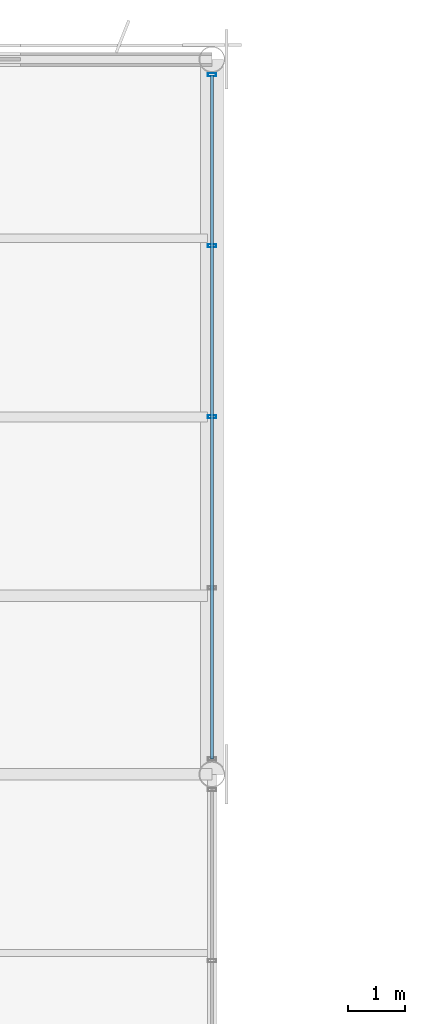
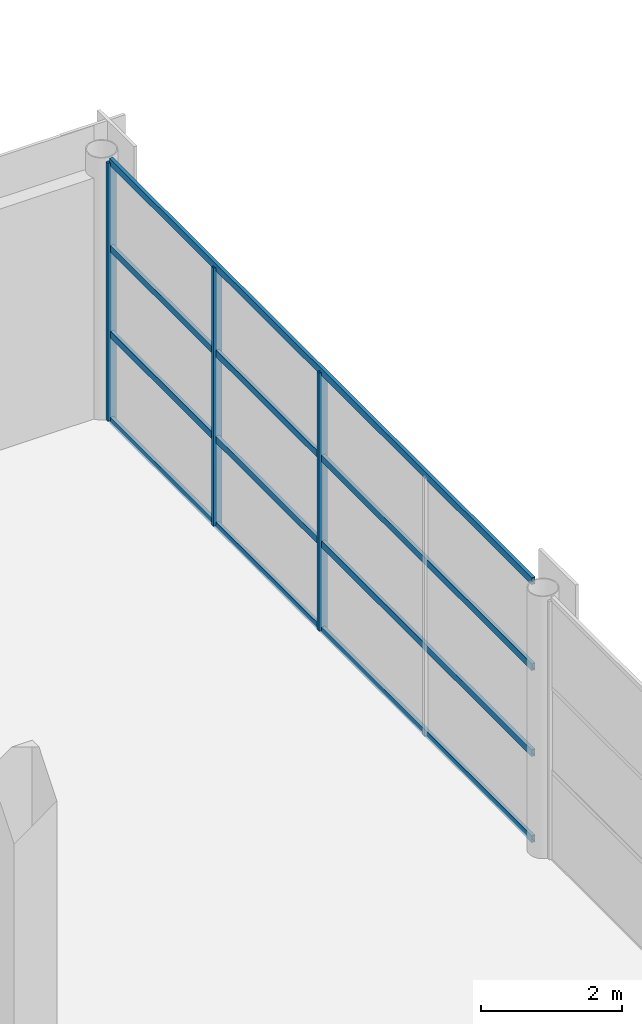
# One storey, part 47 of 101: 7 members, 1 element without a shape of its own.
"""IFC4 building model written with IfcOpenShell, lengths in metres."""

from ifc_helpers import new_model, si_unit, direction, frame, origin, origin_2d, place, context, subcontext, project, spatial, hollow_rectangle, extrude, material, material_profile, profile_set, type_object, element, aggregate, save


model = new_model("IFC4")

# Units and contexts
model_context = context("Model", 3, precision=1e-05, world=origin(), true_north=direction((0.0, 1.0)))
body_context = subcontext(model_context, "Body", "Model", "MODEL_VIEW")
ifc_project = project(units=[si_unit("LENGTHUNIT", "METRE"), si_unit("AREAUNIT", "SQUARE_METRE"), si_unit("VOLUMEUNIT", "CUBIC_METRE"), si_unit("PLANEANGLEUNIT", "RADIAN"), si_unit("MASSUNIT", "GRAM", prefix="KILO")], contexts=[model_context])

# Site, building, storey
site_placement = place(None, origin())
site = spatial("IfcSite", under=ifc_project, at=site_placement, CompositionType="ELEMENT")
building_placement = place(site_placement, origin())
building = spatial("IfcBuilding", under=site, at=building_placement, Name="Solvikara Media Centre", CompositionType="ELEMENT")
storey_placement = place(building_placement, frame((0.0, 0.0, 10.199951171875)))
storey = spatial("IfcBuildingStorey", under=building, at=storey_placement, Name="L02", CompositionType="ELEMENT", Elevation=10.199951171875)

# Curtain wall, members
ifc_material = material(Name="Anodised aluminium EN AW-6063", Category="aluminium")
curtain_wall_type = type_object("IfcCurtainWallType", Name="CW-08", PredefinedType="NOTDEFINED", material=ifc_material)
curtain_wall_placement = place(storey_placement, origin())
curtain_wall = element("IfcCurtainWall", 1, at=curtain_wall_placement, inside=storey, type_object=curtain_wall_type, Name="CW-L02-V3E-S2", PredefinedType="NOTDEFINED")
ifc_material_profile_1 = material_profile(ifc_material, hollow_rectangle(XDim=0.054931640625, YDim=0.139892578125, WallThickness=0.0029296875, at=origin_2d()), Name="ALU-M 55x140x3")
ifc_profile_set_1 = profile_set([ifc_material_profile_1], Name="Anodised aluminium EN AW-6063")
member_type_1 = type_object("IfcMemberType", Name="MF-05", PredefinedType="MULLION", material=ifc_profile_set_1)
member_1_placement = place(storey_placement, frame((34.0, 107.75, 0.02001953125), z_axis=(0.0, 0.0, 1.0), x_axis=(0.0, 1.0, 0.0)))
member_1 = element("IfcMember", 2, at=member_1_placement, type_object=member_type_1, Name="CW-L02-V3E-S2-M02", PredefinedType="MULLION", context=body_context, shape_type="SweptSolid", body=[
    extrude(hollow_rectangle(XDim=0.054931640625, YDim=0.139892578125, WallThickness=0.0029296875, at=origin_2d()), origin(), (0.0, 0.0, 1.0), 4.4599609375),
])
member_2_placement = place(storey_placement, frame((34.0, 110.739990234375, 0.02001953125), z_axis=(0.0, 0.0, 1.0), x_axis=(0.0, 1.0, 0.0)))
member_2 = element("IfcMember", 3, at=member_2_placement, type_object=member_type_1, Name="CW-L02-V3E-S2-M03", PredefinedType="MULLION", context=body_context, shape_type="SweptSolid", body=[
    extrude(hollow_rectangle(XDim=0.054931640625, YDim=0.139892578125, WallThickness=0.0029296875, at=origin_2d()), origin(), (0.0, 0.0, 1.0), 4.4599609375),
])
member_3_placement = place(storey_placement, frame((34.0, 113.73095703125, 0.02001953125), z_axis=(0.0, 0.0, 1.0), x_axis=(0.0, 1.0, 0.0)))
member_3 = element("IfcMember", 4, at=member_3_placement, type_object=member_type_1, Name="CW-L02-V3E-S2-M04", PredefinedType="MULLION", context=body_context, shape_type="SweptSolid", body=[
    extrude(hollow_rectangle(XDim=0.054931640625, YDim=0.139892578125, WallThickness=0.0029296875, at=origin_2d()), origin(), (0.0, 0.0, 1.0), 4.4599609375),
])
ifc_material_profile_2 = material_profile(ifc_material, hollow_rectangle(XDim=0.054931640625, YDim=0.1201171875, WallThickness=0.0029296875, at=origin_2d()), Name="ALU-T 55x120x3")
ifc_profile_set_2 = profile_set([ifc_material_profile_2], Name="Anodised aluminium EN AW-6063")
member_type_2 = type_object("IfcMemberType", Name="MF-11", PredefinedType="USERDEFINED", material=ifc_profile_set_2)
member_4_placement = place(storey_placement, frame((34.0, 101.76904296875, 0.02001953125), z_axis=(0.0, 1.0, 0.0), x_axis=(-1.0, 0.0, 0.0)))
member_4 = element("IfcMember", 5, at=member_4_placement, type_object=member_type_2, Name="CW-L02-V3E-S2-T00", ObjectType="TRANSOM", PredefinedType="USERDEFINED", context=body_context, shape_type="SweptSolid", body=[
    extrude(hollow_rectangle(XDim=0.054931640625, YDim=0.1201171875, WallThickness=0.0029296875, at=origin_2d()), origin(), (0.0, 0.0, 1.0), 11.9619140625),
])
member_5_placement = place(storey_placement, frame((34.0, 101.76904296875, 1.507080078125), z_axis=(0.0, 1.0, 0.0), x_axis=(-1.0, 0.0, 0.0)))
member_5 = element("IfcMember", 6, at=member_5_placement, type_object=member_type_2, Name="CW-L02-V3E-S2-T01", ObjectType="TRANSOM", PredefinedType="USERDEFINED", context=body_context, shape_type="SweptSolid", body=[
    extrude(hollow_rectangle(XDim=0.054931640625, YDim=0.1201171875, WallThickness=0.0029296875, at=origin_2d()), origin(), (0.0, 0.0, 1.0), 11.9619140625),
])
member_6_placement = place(storey_placement, frame((34.0, 101.76904296875, 2.9931640625), z_axis=(0.0, 1.0, 0.0), x_axis=(-1.0, 0.0, 0.0)))
member_6 = element("IfcMember", 7, at=member_6_placement, type_object=member_type_2, Name="CW-L02-V3E-S2-T02", ObjectType="TRANSOM", PredefinedType="USERDEFINED", context=body_context, shape_type="SweptSolid", body=[
    extrude(hollow_rectangle(XDim=0.054931640625, YDim=0.1201171875, WallThickness=0.0029296875, at=origin_2d()), origin(), (0.0, 0.0, 1.0), 11.9619140625),
])
member_7_placement = place(storey_placement, frame((34.0, 101.76904296875, 4.47998046875), z_axis=(0.0, 1.0, 0.0), x_axis=(-1.0, 0.0, 0.0)))
member_7 = element("IfcMember", 8, at=member_7_placement, type_object=member_type_2, Name="CW-L02-V3E-S2-T03", ObjectType="TRANSOM", PredefinedType="USERDEFINED", context=body_context, shape_type="SweptSolid", body=[
    extrude(hollow_rectangle(XDim=0.054931640625, YDim=0.1201171875, WallThickness=0.0029296875, at=origin_2d()), origin(), (0.0, 0.0, 1.0), 11.9619140625),
])
aggregate(curtain_wall, [member_1, member_2, member_3, member_4, member_5, member_6, member_7])

save(model, "model.ifc")
